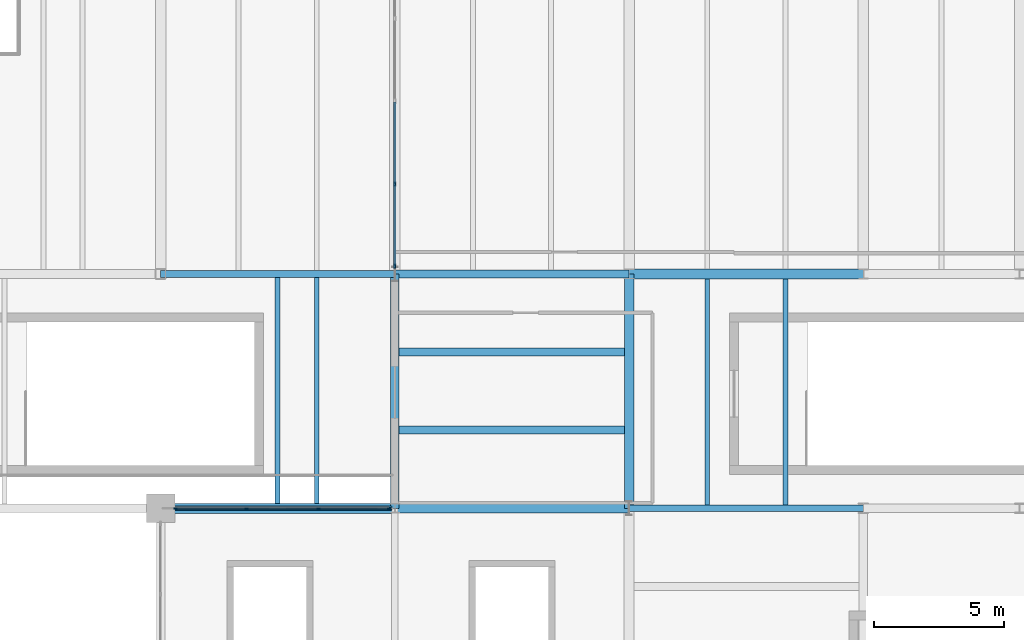
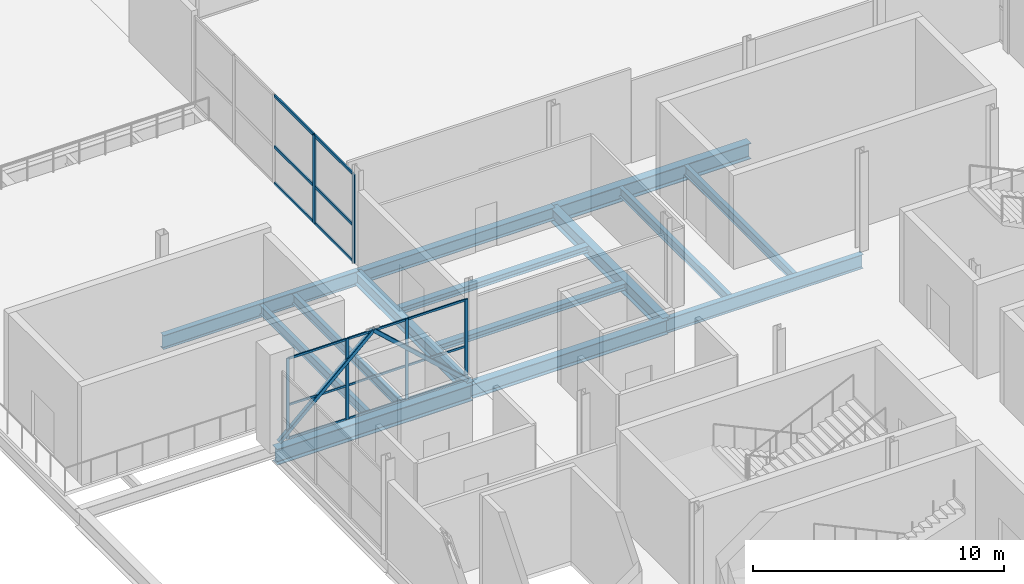
# One storey, part 20 of 50: 23 members, 14 beams, 2 elements without a shape of their own.
"""IFC4 building model written with IfcOpenShell, lengths in metres."""

import ifcopenshell
import ifcopenshell.guid

model = None  # the IFC model being written
_history = None  # IfcOwnerHistory: only IFC2X3 demands one
_inside = {}  # id of a spatial element -> (the spatial element, [elements in it])
_under = {}  # id of a project, library or spatial element -> (it, [spatial elements below it])
_declared = {}  # id of a project -> (the project, [libraries it declares])
_typed = {}  # id of a type object -> (the type object, [elements of that type])
_made_of = {}  # id of a material, layer set ... -> (it, [elements and type objects made of it])


def new_model(schema):
    """Start an empty IFC model of exactly this schema.

    Asked for "IFC4X3", IfcOpenShell would pick the latest addendum, in which some entities
    have other attributes; the version numbers below select the first issue.
    IFC2X3 requires an IfcOwnerHistory on every rooted entity: one is made here for all.
    """
    global model, _history
    if schema == "IFC4X3":
        model = ifcopenshell.file(schema_version=(4, 3, 0, 0))
    else:
        model = ifcopenshell.file(schema=schema)
    _inside.clear()
    _under.clear()
    _declared.clear()
    _typed.clear()
    _made_of.clear()
    _history = None
    if model.schema == "IFC2X3":
        org = make("IfcOrganization", Name="unknown")
        user = make(
            "IfcPersonAndOrganization",
            ThePerson=make("IfcPerson", FamilyName="unknown"),
            TheOrganization=org,
        )
        app = make(
            "IfcApplication",
            ApplicationDeveloper=org,
            Version="unknown",
            ApplicationFullName="unknown",
            ApplicationIdentifier="unknown",
        )
        _history = make(
            "IfcOwnerHistory",
            OwningUser=user,
            OwningApplication=app,
            ChangeAction="ADDED",
            CreationDate=0,
        )
    return model


def make(cls, **values):
    """One entity of the class cls with the attributes given. An attribute that is None is left unset."""
    return model.create_entity(
        cls, **{name: value for name, value in values.items() if value is not None}
    )


def rooted(cls, **values):
    """An entity with a GlobalId (a new one), such as an element, a storey or a relation."""
    return make(cls, GlobalId=ifcopenshell.guid.new(), OwnerHistory=_history, **values)


def si_unit(unit_type, name, prefix=None):
    """IfcSIUnit, for example si_unit("LENGTHUNIT", "METRE", prefix="MILLI")."""
    return make("IfcSIUnit", UnitType=unit_type, Prefix=prefix, Name=name)


def assignment(units):
    """IfcUnitAssignment: the units of a project."""
    return None if units is None else make("IfcUnitAssignment", Units=units)


def point(xyz):
    """IfcCartesianPoint."""
    return None if xyz is None else make("IfcCartesianPoint", Coordinates=xyz)


def direction(xyz):
    """IfcDirection."""
    return None if xyz is None else make("IfcDirection", DirectionRatios=xyz)


def frame(location, z_axis=None, x_axis=None):
    """IfcAxis2Placement3D, a coordinate frame: its origin and axes. An axis left out is left unset."""
    return make(
        "IfcAxis2Placement3D",
        Location=point(location),
        Axis=direction(z_axis),
        RefDirection=direction(x_axis),
    )


def frame_2d(location, x_axis=None):
    """IfcAxis2Placement2D, a coordinate frame in the plane: its origin and x axis."""
    return make(
        "IfcAxis2Placement2D", Location=point(location), RefDirection=direction(x_axis)
    )


def origin():
    """The frame at (0, 0, 0) with its axes left unset."""
    return frame((0.0, 0.0, 0.0))


def origin_2d():
    """The frame at (0, 0) in the plane with its x axis left unset."""
    return frame_2d((0.0, 0.0))


def place(relative_to, where):
    """IfcLocalPlacement: puts the frame where relative to a parent placement (None: the world)."""
    return make(
        "IfcLocalPlacement", PlacementRelTo=relative_to, RelativePlacement=where
    )


def context(
    kind, dimensions, precision=None, world=None, true_north=None, identifier=None
):
    """IfcGeometricRepresentationContext, for example the 3D "Model" context."""
    return make(
        "IfcGeometricRepresentationContext",
        ContextIdentifier=identifier,
        ContextType=kind,
        CoordinateSpaceDimension=dimensions,
        Precision=precision,
        WorldCoordinateSystem=world,
        TrueNorth=true_north,
    )


def subcontext(parent, identifier, kind, view, scale=None):
    """IfcGeometricRepresentationSubContext, for example "Body" below "Model"."""
    return make(
        "IfcGeometricRepresentationSubContext",
        ContextIdentifier=identifier,
        ContextType=kind,
        ParentContext=parent,
        TargetScale=scale,
        TargetView=view,
    )


def project(units=None, contexts=None):
    """IfcProject with its units and contexts."""
    return rooted(
        "IfcProject",
        Name="project",
        RepresentationContexts=contexts,
        UnitsInContext=assignment(units),
    )


def spatial(cls, under=None, at=None, **own):
    """A site, building, storey or space (cls), placed at a placement, below another one or the project."""
    s = rooted(cls, ObjectPlacement=at, **own)
    if under is not None:
        _under.setdefault(under.id(), (under, []))[1].append(s)
    return s


def profile(cls, at=None, kind="AREA", **sizes):
    """A parametric profile (cls). Its sizes go by their IFC names, for example OverallWidth=200.0."""
    return make(cls, ProfileType=kind, Position=at, **sizes)


def rectangle(**sizes):
    """IfcRectangleProfileDef."""
    return profile("IfcRectangleProfileDef", **sizes)


def hollow_rectangle(**sizes):
    """IfcRectangleHollowProfileDef."""
    return profile("IfcRectangleHollowProfileDef", **sizes)


def i_section(**sizes):
    """IfcIShapeProfileDef."""
    return profile("IfcIShapeProfileDef", **sizes)


def extrude(swept, where, along, depth):
    """IfcExtrudedAreaSolid: the profile swept, set in the frame where, extruded along a direction by depth."""
    return make(
        "IfcExtrudedAreaSolid",
        SweptArea=swept,
        Position=where,
        ExtrudedDirection=direction(along),
        Depth=depth,
    )


def shape(context_of_items, identifier, shape_type, items):
    """IfcShapeRepresentation: the items that make up one representation, for example the "Body"."""
    return make(
        "IfcShapeRepresentation",
        ContextOfItems=context_of_items,
        RepresentationIdentifier=identifier,
        RepresentationType=shape_type,
        Items=items,
    )


def material(Name=None, Category=None):
    """IfcMaterial."""
    return make("IfcMaterial", Name=Name, Category=Category)


def layer(
    of_material, thickness, ventilated=None, Name=None, Category=None, Priority=None
):
    """IfcMaterialLayer: one layer of a wall or slab, of a material (None: an air gap)."""
    return make(
        "IfcMaterialLayer",
        Material=of_material,
        LayerThickness=thickness,
        IsVentilated=ventilated,
        Name=Name,
        Category=Category,
        Priority=Priority,
    )


def layer_set(layers, Name=None):
    """IfcMaterialLayerSet."""
    return make("IfcMaterialLayerSet", MaterialLayers=layers, LayerSetName=Name)


def material_profile(
    of_material, cross_section, Name=None, Category=None, Priority=None
):
    """IfcMaterialProfile: a cross section and its material."""
    return make(
        "IfcMaterialProfile",
        Name=Name,
        Material=of_material,
        Profile=cross_section,
        Priority=Priority,
        Category=Category,
    )


def profile_set(profiles, Name=None, composite=None):
    """IfcMaterialProfileSet."""
    return make(
        "IfcMaterialProfileSet",
        Name=Name,
        MaterialProfiles=profiles,
        CompositeProfile=composite,
    )


def made_of(thing, what):
    """Note that an element or type object is made of a material, layer set ...; save() writes the relation."""
    if what is not None:
        _made_of.setdefault(what.id(), (what, []))[1].append(thing)
    return thing


def type_object(cls, material=None, **own):
    """A type object (cls), such as IfcWallType, which elements share."""
    return made_of(rooted(cls, **own), material)


def element(
    cls,
    number,
    at=None,
    inside=None,
    cuts=None,
    type_object=None,
    material=None,
    context=None,
    identifier="Body",
    shape_type=None,
    held_by="IfcProductDefinitionShape",
    body=None,
    shapes=None,
    **own,
):
    """One element of the class cls, such as IfcWall. Its Tag is "e" and its number.

    at: its placement. inside: the storey or other place that contains it. cuts: it is an
    opening in that element (IfcRelVoidsElement). A single representation is given by context,
    identifier, shape_type and body (its items); several are given by shapes. held_by: the class
    of the entity that holds the representations. save() writes the other relations.
    """
    e = rooted(cls, Tag="e%d" % number, ObjectPlacement=at, **own)
    if body is not None:
        shapes = [shape(context, identifier, shape_type, body)]
    if shapes is not None:
        e.Representation = make(held_by, Representations=shapes)
    if inside is not None:
        _inside.setdefault(inside.id(), (inside, []))[1].append(e)
    if cuts is not None:
        rooted(
            "IfcRelVoidsElement", RelatingBuildingElement=cuts, RelatedOpeningElement=e
        )
    if type_object is not None:
        _typed.setdefault(type_object.id(), (type_object, []))[1].append(e)
    return made_of(e, material)


def aggregate(whole, parts):
    """IfcRelAggregates: a whole, such as a stair, and the parts it consists of."""
    return rooted("IfcRelAggregates", RelatingObject=whole, RelatedObjects=parts)


def save(model, path):
    """Write the relations noted so far, then the file.

    IfcRelAggregates (storeys below a building ...), IfcRelContainedInSpatialStructure (elements
    in a storey), IfcRelDefinesByType, IfcRelAssociatesMaterial and IfcRelDeclares: one each for
    every whole, place, type object, material and project.
    """
    for whole, parts in _under.values():
        aggregate(whole, parts)
    for where, things in _inside.values():
        rooted(
            "IfcRelContainedInSpatialStructure",
            RelatedElements=things,
            RelatingStructure=where,
        )
    for kind, things in _typed.values():
        rooted("IfcRelDefinesByType", RelatedObjects=things, RelatingType=kind)
    for what, things in _made_of.values():
        rooted("IfcRelAssociatesMaterial", RelatedObjects=things, RelatingMaterial=what)
    for by, libraries in _declared.values():
        rooted("IfcRelDeclares", RelatingContext=by, RelatedDefinitions=libraries)
    model.write(path)


model = new_model("IFC4")

# Units and contexts
model_context = context("Model", 3, precision=1e-05, world=origin(), true_north=direction((0.0, 1.0)))
body_context = subcontext(model_context, "Body", "Model", "MODEL_VIEW")
ifc_project = project(units=[si_unit("LENGTHUNIT", "METRE"), si_unit("AREAUNIT", "SQUARE_METRE"), si_unit("VOLUMEUNIT", "CUBIC_METRE"), si_unit("PLANEANGLEUNIT", "RADIAN"), si_unit("MASSUNIT", "GRAM", prefix="KILO")], contexts=[model_context])

# Site, building, storey
site_placement = place(None, origin())
site = spatial("IfcSite", under=ifc_project, at=site_placement, CompositionType="ELEMENT")
building_placement = place(site_placement, origin())
building = spatial("IfcBuilding", under=site, at=building_placement, Name="Qamarlyn Nura Convention Centre", CompositionType="ELEMENT")
storey_placement = place(building_placement, frame((0.0, 0.0, 20.39990234375)))
storey = spatial("IfcBuildingStorey", under=building, at=storey_placement, Name="L04", CompositionType="ELEMENT", Elevation=20.39990234375)

# Beams
ifc_material_1 = material(Name="Steel ASTM A992", Category="steel")
ifc_material_profile_1 = material_profile(ifc_material_1, i_section(OverallWidth=0.323974609375, OverallDepth=0.611083984375, WebThickness=0.0126953125, FlangeThickness=0.01904296875, FilletRadius=0.01611328125, at=origin_2d()), Name="W610X155")
ifc_profile_set_1 = profile_set([ifc_material_profile_1], Name="Steel ASTM A992")
beam_type_1 = type_object("IfcBeamType", Name="BM-GIRD-610", PredefinedType="BEAM", material=ifc_profile_set_1)
for number, where, z_axis, x_axis, name in (
    (1, (162.0, 90.0, -0.50537109375), (1.0, 0.0, 0.0), (0.0, 1.0, 0.0), "L04 girder L 14-15"),
    (2, (162.0, 81.0, -0.50537109375), (0.0, 1.0, 0.0), (-1.0, 0.0, 0.0), "L04 girder 14 K-L"),
):
    element("IfcBeam", number, at=place(storey_placement, frame(where, z_axis=z_axis, x_axis=x_axis)), inside=storey, type_object=beam_type_1, Name=name, PredefinedType="BEAM", context=body_context, shape_type="SweptSolid", body=[
        extrude(i_section(OverallWidth=0.323974609375, OverallDepth=0.611083984375, WebThickness=0.0126953125, FlangeThickness=0.01904296875, FilletRadius=0.01611328125, at=origin_2d()), origin(), (0.0, 0.0, 1.0), 9.0),
    ])
ifc_material_profile_2 = material_profile(ifc_material_1, i_section(OverallWidth=0.35498046875, OverallDepth=0.695068359375, WebThickness=0.015380859375, FlangeThickness=0.02490234375, FilletRadius=0.01806640625, at=origin_2d()), Name="W690X217")
ifc_profile_set_2 = profile_set([ifc_material_profile_2], Name="Steel ASTM A992")
beam_type_2 = type_object("IfcBeamType", Name="BM-GIRD-690A", PredefinedType="BEAM", material=ifc_profile_set_2)
for number, where, z_axis, x_axis, name in (
    (3, (162.0, 81.0, -0.54736328125), (1.0, 0.0, 0.0), (0.0, 1.0, 0.0), "L04 girder K 14-15"),
    (4, (171.0, 81.0, -0.54736328125), (0.0, 1.0, 0.0), (-1.0, 0.0, 0.0), "L04 girder 15 K-L"),
):
    element("IfcBeam", number, at=place(storey_placement, frame(where, z_axis=z_axis, x_axis=x_axis)), inside=storey, type_object=beam_type_2, Name=name, PredefinedType="BEAM", context=body_context, shape_type="SweptSolid", body=[
        extrude(i_section(OverallWidth=0.35498046875, OverallDepth=0.695068359375, WebThickness=0.015380859375, FlangeThickness=0.02490234375, FilletRadius=0.01806640625, at=origin_2d()), origin(), (0.0, 0.0, 1.0), 9.0),
    ])
ifc_material_profile_3 = material_profile(ifc_material_1, i_section(OverallWidth=0.25390625, OverallDepth=0.68408203125, WebThickness=0.012451171875, FlangeThickness=0.01904296875, FilletRadius=0.01806640625, at=origin_2d()), Name="W690X140")
ifc_profile_set_3 = profile_set([ifc_material_profile_3], Name="Steel ASTM A992")
beam_type_3 = type_object("IfcBeamType", Name="BM-GIRD-690B", PredefinedType="BEAM", material=ifc_profile_set_3)
for number, where, z_axis, x_axis, name in (
    (5, (171.0, 81.0, -0.5419921875), (1.0, 0.0, 0.0), (0.0, 1.0, 0.0), "L04 girder K 15-16"),
    (6, (153.0, 90.0, -0.5068359375), (1.0, 0.0, 0.0), (0.0, 1.0, 0.0), "L04 girder L 13-14"),
):
    element("IfcBeam", number, at=place(storey_placement, frame(where, z_axis=z_axis, x_axis=x_axis)), inside=storey, type_object=beam_type_3, Name=name, PredefinedType="BEAM", context=body_context, shape_type="SweptSolid", body=[
        extrude(i_section(OverallWidth=0.25390625, OverallDepth=0.68408203125, WebThickness=0.012451171875, FlangeThickness=0.01904296875, FilletRadius=0.01806640625, at=origin_2d()), origin(), (0.0, 0.0, 1.0), 9.0),
    ])
ifc_material_profile_4 = material_profile(ifc_material_1, i_section(OverallWidth=0.381103515625, OverallDepth=0.77294921875, WebThickness=0.0166015625, FlangeThickness=0.027587890625, FilletRadius=0.02001953125, at=origin_2d()), Name="W760X257")
ifc_profile_set_4 = profile_set([ifc_material_profile_4], Name="Steel ASTM A992")
beam_type_4 = type_object("IfcBeamType", Name="BM-GIRD-760", PredefinedType="BEAM", material=ifc_profile_set_4)
for number, where, z_axis, x_axis, name in (
    (7, (153.0, 81.0, -0.58642578125), (1.0, 0.0, 0.0), (0.0, 1.0, 0.0), "L04 girder K 13-14"),
    (8, (171.0, 90.0, -0.58642578125), (1.0, 0.0, 0.0), (0.0, 1.0, 0.0), "L04 girder L 15-16"),
):
    element("IfcBeam", number, at=place(storey_placement, frame(where, z_axis=z_axis, x_axis=x_axis)), inside=storey, type_object=beam_type_4, Name=name, PredefinedType="BEAM", context=body_context, shape_type="SweptSolid", body=[
        extrude(i_section(OverallWidth=0.381103515625, OverallDepth=0.77294921875, WebThickness=0.0166015625, FlangeThickness=0.027587890625, FilletRadius=0.02001953125, at=origin_2d()), origin(), (0.0, 0.0, 1.0), 9.0),
    ])
ifc_material_profile_5 = material_profile(ifc_material_1, i_section(OverallWidth=0.304931640625, OverallDepth=0.30810546875, WebThickness=0.010009765625, FlangeThickness=0.015380859375, FilletRadius=0.014892578125, at=origin_2d()), Name="W310X97")
ifc_profile_set_5 = profile_set([ifc_material_profile_5], Name="Steel ASTM A992")
beam_type_5 = type_object("IfcBeamType", Name="BM-JOIST-310", PredefinedType="JOIST", material=ifc_profile_set_5)
for number, where, z_axis, x_axis, name in (
    (9, (162.162109375, 84.0, -0.35400390625), (1.0, 0.0, 0.0), (0.0, 1.0, 0.0), "L04 composite joist 14-15/K+1"),
    (10, (162.162109375, 87.0, -0.35400390625), (1.0, 0.0, 0.0), (0.0, 1.0, 0.0), "L04 composite joist 14-15/K+2"),
):
    element("IfcBeam", number, at=place(storey_placement, frame(where, z_axis=z_axis, x_axis=x_axis)), inside=storey, type_object=beam_type_5, Name=name, PredefinedType="JOIST", context=body_context, shape_type="SweptSolid", body=[
        extrude(i_section(OverallWidth=0.304931640625, OverallDepth=0.30810546875, WebThickness=0.010009765625, FlangeThickness=0.015380859375, FilletRadius=0.014892578125, at=origin_2d()), origin(), (0.0, 0.0, 1.0), 8.660400390625),
    ])
ifc_material_profile_6 = material_profile(ifc_material_1, i_section(OverallWidth=0.18994140625, OverallDepth=0.45703125, WebThickness=0.009033203125, FlangeThickness=0.014404296875, FilletRadius=0.012939453125, at=origin_2d()), Name="W460X74")
ifc_profile_set_6 = profile_set([ifc_material_profile_6], Name="Steel ASTM A992")
beam_type_6 = type_object("IfcBeamType", Name="BM-JOIST-460", PredefinedType="JOIST", material=ifc_profile_set_6)
for number, where, z_axis, x_axis, name in (
    (11, (159.0, 81.1904296875, -0.428466796875), (0.0, 1.0, 0.0), (-1.0, 0.0, 0.0), "L04 secondary joist 13-14/K-L-16"),
    (12, (157.5, 81.1904296875, -0.428466796875), (0.0, 1.0, 0.0), (-1.0, 0.0, 0.0), "L04 secondary joist 13-14/K-L-17"),
    (13, (174.0, 81.126953125, -0.428466796875), (0.0, 1.0, 0.0), (-1.0, 0.0, 0.0), "L04 secondary joist 15-16/K-L-50"),
    (14, (177.0, 81.126953125, -0.428466796875), (0.0, 1.0, 0.0), (-1.0, 0.0, 0.0), "L04 secondary joist 15-16/K-L-51"),
):
    element("IfcBeam", number, at=place(storey_placement, frame(where, z_axis=z_axis, x_axis=x_axis)), inside=storey, type_object=beam_type_6, Name=name, PredefinedType="JOIST", context=body_context, shape_type="SweptSolid", body=[
        extrude(i_section(OverallWidth=0.18994140625, OverallDepth=0.45703125, WebThickness=0.009033203125, FlangeThickness=0.014404296875, FilletRadius=0.012939453125, at=origin_2d()), origin(), (0.0, 0.0, 1.0), 8.6826171875),
    ])

# Members
ifc_material_2 = material(Name="Steel ASTM A500 Grade C", Category="steel")
ifc_material_profile_7 = material_profile(ifc_material_2, hollow_rectangle(XDim=0.179931640625, YDim=0.179931640625, WallThickness=0.008056640625, InnerFilletRadius=0.008056640625, OuterFilletRadius=0.01611328125, at=origin_2d()), Name="HSS180X180X8")
ifc_profile_set_7 = profile_set([ifc_material_profile_7], Name="Steel ASTM A500 Grade C")
member_type_1 = type_object("IfcMemberType", Name="CBF-BRC-180", PredefinedType="BRACE", material=ifc_profile_set_7)
for number, where, z_axis, x_axis, name in (
    (15, (153.179931640625, 81.0, 0.0), (0.738076289135, 0.0, 0.674717267762), (0.0, 1.0, 0.0), "L04 SCBF chevron brace CBF-N1L"),
    (16, (161.820068359375, 81.0, 0.0), (-0.738076289135, 0.0, 0.674717267762), (0.0, -1.0, 0.0), "L04 SCBF chevron brace CBF-N1R"),
):
    element("IfcMember", number, at=place(storey_placement, frame(where, z_axis=z_axis, x_axis=x_axis)), inside=storey, type_object=member_type_1, Name=name, PredefinedType="BRACE", context=body_context, shape_type="SweptSolid", body=[
        extrude(hollow_rectangle(XDim=0.179931640625, YDim=0.179931640625, WallThickness=0.008056640625, InnerFilletRadius=0.008056640625, OuterFilletRadius=0.01611328125, at=origin_2d()), origin(), (0.0, 0.0, 1.0), 5.85302734375),
    ])

# Curtain wall, members
ifc_material_3 = material(Name="Double-silver low-E insulated glass", Category="glass")
ifc_layer_1 = layer(ifc_material_3, 0.179931640625, Name="CW-UNIT-147")
ifc_layer_set_1 = layer_set([ifc_layer_1], Name="Double-silver low-E insulated glass")
curtain_wall_type_1 = type_object("IfcCurtainWallType", Name="CW-UNIT-147", PredefinedType="NOTDEFINED", material=ifc_layer_set_1)
curtain_wall_1_placement = place(storey_placement, origin())
curtain_wall_1 = element("IfcCurtainWall", 17, at=curtain_wall_1_placement, inside=storey, type_object=curtain_wall_type_1, Name="L04 unitised curtain wall FF3N-81-1", PredefinedType="NOTDEFINED")
ifc_material_4 = material(Name="Champagne-anodised marine aluminium", Category="aluminium")
ifc_material_profile_8 = material_profile(ifc_material_4, rectangle(XDim=0.06005859375, YDim=0.139892578125, at=origin_2d()), Name="ALU MULLION 60x140")
ifc_profile_set_8 = profile_set([ifc_material_profile_8], Name="Champagne-anodised marine aluminium")
member_type_2 = type_object("IfcMemberType", Name="CWM-140", PredefinedType="MULLION", material=ifc_profile_set_8)
member_1_placement = place(storey_placement, frame((153.580078125, 81.0, 0.0), z_axis=(0.0, 0.0, 1.0), x_axis=(0.0, 1.0, 0.0)))
member_1 = element("IfcMember", 18, at=member_1_placement, type_object=member_type_2, Name="CW147 mullion 1", PredefinedType="MULLION", context=body_context, shape_type="SweptSolid", body=[
    extrude(rectangle(XDim=0.06005859375, YDim=0.139892578125, at=origin_2d()), origin(), (0.0, 0.0, 1.0), 3.93408203125),
])
member_2_placement = place(storey_placement, frame((156.30517578125, 81.0, 0.0), z_axis=(0.0, 0.0, 1.0), x_axis=(0.0, 1.0, 0.0)))
member_2 = element("IfcMember", 19, at=member_2_placement, type_object=member_type_2, Name="CW147 mullion 2", PredefinedType="MULLION", context=body_context, shape_type="SweptSolid", body=[
    extrude(rectangle(XDim=0.06005859375, YDim=0.139892578125, at=origin_2d()), origin(), (0.0, 0.0, 1.0), 3.93408203125),
])
member_3_placement = place(storey_placement, frame((159.060302734375, 81.0, 0.0), z_axis=(0.0, 0.0, 1.0), x_axis=(0.0, 1.0, 0.0)))
member_3 = element("IfcMember", 20, at=member_3_placement, type_object=member_type_2, Name="CW147 mullion 3", PredefinedType="MULLION", context=body_context, shape_type="SweptSolid", body=[
    extrude(rectangle(XDim=0.06005859375, YDim=0.139892578125, at=origin_2d()), origin(), (0.0, 0.0, 1.0), 3.93408203125),
])
member_4_placement = place(storey_placement, frame((161.785400390625, 81.0, 0.0), z_axis=(0.0, 0.0, 1.0), x_axis=(0.0, 1.0, 0.0)))
member_4 = element("IfcMember", 21, at=member_4_placement, type_object=member_type_2, Name="CW147 mullion 4", PredefinedType="MULLION", context=body_context, shape_type="SweptSolid", body=[
    extrude(rectangle(XDim=0.06005859375, YDim=0.139892578125, at=origin_2d()), origin(), (0.0, 0.0, 1.0), 3.93408203125),
])

ifc_layer_2 = layer(ifc_material_3, 0.179931640625, Name="CW-UNIT-148")
ifc_layer_set_2 = layer_set([ifc_layer_2], Name="Double-silver low-E insulated glass")
curtain_wall_type_2 = type_object("IfcCurtainWallType", Name="CW-UNIT-148", PredefinedType="NOTDEFINED", material=ifc_layer_set_2)
curtain_wall_2_placement = place(storey_placement, origin())
curtain_wall_2 = element("IfcCurtainWall", 22, at=curtain_wall_2_placement, inside=storey, type_object=curtain_wall_type_2, Name="L04 unitised curtain wall DLW-90-1", PredefinedType="NOTDEFINED")
ifc_material_profile_9 = material_profile(ifc_material_4, rectangle(XDim=0.070068359375, YDim=0.179931640625, at=origin_2d()), Name="ALU MULLION 70x180")
ifc_profile_set_9 = profile_set([ifc_material_profile_9], Name="Champagne-anodised marine aluminium")
member_type_3 = type_object("IfcMemberType", Name="CWM-180", PredefinedType="MULLION", material=ifc_profile_set_9)
member_5_placement = place(storey_placement, frame((162.0, 90.304443359375, 0.0), z_axis=(0.0, 0.0, 1.0), x_axis=(-1.0, 0.0, 0.0)))
member_5 = element("IfcMember", 23, at=member_5_placement, type_object=member_type_3, Name="CW148 mullion 1", PredefinedType="MULLION", context=body_context, shape_type="SweptSolid", body=[
    extrude(rectangle(XDim=0.070068359375, YDim=0.179931640625, at=origin_2d()), origin(), (0.0, 0.0, 1.0), 4.31005859375),
])
member_6_placement = place(storey_placement, frame((162.0, 93.4521484375, 0.0), z_axis=(0.0, 0.0, 1.0), x_axis=(-1.0, 0.0, 0.0)))
member_6 = element("IfcMember", 24, at=member_6_placement, type_object=member_type_3, Name="CW148 mullion 2", PredefinedType="MULLION", context=body_context, shape_type="SweptSolid", body=[
    extrude(rectangle(XDim=0.070068359375, YDim=0.179931640625, at=origin_2d()), origin(), (0.0, 0.0, 1.0), 4.31005859375),
])

# Member
ifc_material_profile_10 = material_profile(ifc_material_4, rectangle(XDim=0.06005859375, YDim=0.10009765625, at=origin_2d()), Name="ALU TRANSOM 60x100")
ifc_profile_set_10 = profile_set([ifc_material_profile_10], Name="Champagne-anodised marine aluminium")
member_type_4 = type_object("IfcMemberType", Name="CWT-100", PredefinedType="USERDEFINED", material=ifc_profile_set_10)
member_7_placement = place(storey_placement, frame((153.610107421875, 81.0, 0.030029296875), z_axis=(1.0, 0.0, 0.0), x_axis=(0.0, 1.0, 0.0)))
member_7 = element("IfcMember", 25, at=member_7_placement, type_object=member_type_4, Name="CW147 transom 1.1", ObjectType="TRANSOM", PredefinedType="USERDEFINED", context=body_context, shape_type="SweptSolid", body=[
    extrude(rectangle(XDim=0.06005859375, YDim=0.10009765625, at=origin_2d()), origin(), (0.0, 0.0, 1.0), 2.6650390625),
])

member_8_placement = place(storey_placement, frame((153.610107421875, 81.0, 1.652099609375), z_axis=(1.0, 0.0, 0.0), x_axis=(0.0, 1.0, 0.0)))
member_8 = element("IfcMember", 26, at=member_8_placement, type_object=member_type_4, Name="CW147 transom 1.2", ObjectType="TRANSOM", PredefinedType="USERDEFINED", context=body_context, shape_type="SweptSolid", body=[
    extrude(rectangle(XDim=0.06005859375, YDim=0.10009765625, at=origin_2d()), origin(), (0.0, 0.0, 1.0), 2.6650390625),
])

member_9_placement = place(storey_placement, frame((153.610107421875, 81.0, 3.904052734375), z_axis=(1.0, 0.0, 0.0), x_axis=(0.0, 1.0, 0.0)))
member_9 = element("IfcMember", 27, at=member_9_placement, type_object=member_type_4, Name="CW147 transom 1.3", ObjectType="TRANSOM", PredefinedType="USERDEFINED", context=body_context, shape_type="SweptSolid", body=[
    extrude(rectangle(XDim=0.06005859375, YDim=0.10009765625, at=origin_2d()), origin(), (0.0, 0.0, 1.0), 2.6650390625),
])

member_10_placement = place(storey_placement, frame((156.335205078125, 81.0, 0.030029296875), z_axis=(1.0, 0.0, 0.0), x_axis=(0.0, 1.0, 0.0)))
member_10 = element("IfcMember", 28, at=member_10_placement, type_object=member_type_4, Name="CW147 transom 2.1", ObjectType="TRANSOM", PredefinedType="USERDEFINED", context=body_context, shape_type="SweptSolid", body=[
    extrude(rectangle(XDim=0.06005859375, YDim=0.10009765625, at=origin_2d()), origin(), (0.0, 0.0, 1.0), 2.695068359375),
])

member_11_placement = place(storey_placement, frame((156.335205078125, 81.0, 1.652099609375), z_axis=(1.0, 0.0, 0.0), x_axis=(0.0, 1.0, 0.0)))
member_11 = element("IfcMember", 29, at=member_11_placement, type_object=member_type_4, Name="CW147 transom 2.2", ObjectType="TRANSOM", PredefinedType="USERDEFINED", context=body_context, shape_type="SweptSolid", body=[
    extrude(rectangle(XDim=0.06005859375, YDim=0.10009765625, at=origin_2d()), origin(), (0.0, 0.0, 1.0), 2.695068359375),
])

member_12_placement = place(storey_placement, frame((156.335205078125, 81.0, 3.904052734375), z_axis=(1.0, 0.0, 0.0), x_axis=(0.0, 1.0, 0.0)))
member_12 = element("IfcMember", 30, at=member_12_placement, type_object=member_type_4, Name="CW147 transom 2.3", ObjectType="TRANSOM", PredefinedType="USERDEFINED", context=body_context, shape_type="SweptSolid", body=[
    extrude(rectangle(XDim=0.06005859375, YDim=0.10009765625, at=origin_2d()), origin(), (0.0, 0.0, 1.0), 2.695068359375),
])

member_13_placement = place(storey_placement, frame((159.09033203125, 81.0, 0.030029296875), z_axis=(1.0, 0.0, 0.0), x_axis=(0.0, 1.0, 0.0)))
member_13 = element("IfcMember", 31, at=member_13_placement, type_object=member_type_4, Name="CW147 transom 3.1", ObjectType="TRANSOM", PredefinedType="USERDEFINED", context=body_context, shape_type="SweptSolid", body=[
    extrude(rectangle(XDim=0.06005859375, YDim=0.10009765625, at=origin_2d()), origin(), (0.0, 0.0, 1.0), 2.665283203125),
])

member_14_placement = place(storey_placement, frame((159.09033203125, 81.0, 1.652099609375), z_axis=(1.0, 0.0, 0.0), x_axis=(0.0, 1.0, 0.0)))
member_14 = element("IfcMember", 32, at=member_14_placement, type_object=member_type_4, Name="CW147 transom 3.2", ObjectType="TRANSOM", PredefinedType="USERDEFINED", context=body_context, shape_type="SweptSolid", body=[
    extrude(rectangle(XDim=0.06005859375, YDim=0.10009765625, at=origin_2d()), origin(), (0.0, 0.0, 1.0), 2.665283203125),
])

member_15_placement = place(storey_placement, frame((159.09033203125, 81.0, 3.904052734375), z_axis=(1.0, 0.0, 0.0), x_axis=(0.0, 1.0, 0.0)))
member_15 = element("IfcMember", 33, at=member_15_placement, type_object=member_type_4, Name="CW147 transom 3.3", ObjectType="TRANSOM", PredefinedType="USERDEFINED", context=body_context, shape_type="SweptSolid", body=[
    extrude(rectangle(XDim=0.06005859375, YDim=0.10009765625, at=origin_2d()), origin(), (0.0, 0.0, 1.0), 2.665283203125),
])

aggregate(curtain_wall_1, [member_1, member_2, member_3, member_4, member_7, member_8, member_9, member_10, member_11, member_12, member_13, member_14, member_15])

ifc_material_profile_11 = material_profile(ifc_material_4, rectangle(XDim=0.070068359375, YDim=0.139892578125, at=origin_2d()), Name="ALU TRANSOM 70x140")
ifc_profile_set_11 = profile_set([ifc_material_profile_11], Name="Champagne-anodised marine aluminium")
member_type_5 = type_object("IfcMemberType", Name="CWT-140", PredefinedType="USERDEFINED", material=ifc_profile_set_11)
member_16_placement = place(storey_placement, frame((162.0, 90.339599609375, 0.03515625), z_axis=(0.0, 1.0, 0.0), x_axis=(-1.0, 0.0, 0.0)))
member_16 = element("IfcMember", 34, at=member_16_placement, type_object=member_type_5, Name="CW148 transom 1.1", ObjectType="TRANSOM", PredefinedType="USERDEFINED", context=body_context, shape_type="SweptSolid", body=[
    extrude(rectangle(XDim=0.070068359375, YDim=0.139892578125, at=origin_2d()), origin(), (0.0, 0.0, 1.0), 3.07763671875),
])

member_17_placement = place(storey_placement, frame((162.0, 90.339599609375, 1.81005859375), z_axis=(0.0, 1.0, 0.0), x_axis=(-1.0, 0.0, 0.0)))
member_17 = element("IfcMember", 35, at=member_17_placement, type_object=member_type_5, Name="CW148 transom 1.2", ObjectType="TRANSOM", PredefinedType="USERDEFINED", context=body_context, shape_type="SweptSolid", body=[
    extrude(rectangle(XDim=0.070068359375, YDim=0.139892578125, at=origin_2d()), origin(), (0.0, 0.0, 1.0), 3.07763671875),
])

member_18_placement = place(storey_placement, frame((162.0, 90.339599609375, 4.275146484375), z_axis=(0.0, 1.0, 0.0), x_axis=(-1.0, 0.0, 0.0)))
member_18 = element("IfcMember", 36, at=member_18_placement, type_object=member_type_5, Name="CW148 transom 1.3", ObjectType="TRANSOM", PredefinedType="USERDEFINED", context=body_context, shape_type="SweptSolid", body=[
    extrude(rectangle(XDim=0.070068359375, YDim=0.139892578125, at=origin_2d()), origin(), (0.0, 0.0, 1.0), 3.07763671875),
])

member_19_placement = place(storey_placement, frame((162.0, 93.487060546875, 0.03515625), z_axis=(0.0, 1.0, 0.0), x_axis=(-1.0, 0.0, 0.0)))
member_19 = element("IfcMember", 37, at=member_19_placement, type_object=member_type_5, Name="CW148 transom 2.1", ObjectType="TRANSOM", PredefinedType="USERDEFINED", context=body_context, shape_type="SweptSolid", body=[
    extrude(rectangle(XDim=0.070068359375, YDim=0.139892578125, at=origin_2d()), origin(), (0.0, 0.0, 1.0), 3.11279296875),
])

member_20_placement = place(storey_placement, frame((162.0, 93.487060546875, 1.81005859375), z_axis=(0.0, 1.0, 0.0), x_axis=(-1.0, 0.0, 0.0)))
member_20 = element("IfcMember", 38, at=member_20_placement, type_object=member_type_5, Name="CW148 transom 2.2", ObjectType="TRANSOM", PredefinedType="USERDEFINED", context=body_context, shape_type="SweptSolid", body=[
    extrude(rectangle(XDim=0.070068359375, YDim=0.139892578125, at=origin_2d()), origin(), (0.0, 0.0, 1.0), 3.11279296875),
])

member_21_placement = place(storey_placement, frame((162.0, 93.487060546875, 4.275146484375), z_axis=(0.0, 1.0, 0.0), x_axis=(-1.0, 0.0, 0.0)))
member_21 = element("IfcMember", 39, at=member_21_placement, type_object=member_type_5, Name="CW148 transom 2.3", ObjectType="TRANSOM", PredefinedType="USERDEFINED", context=body_context, shape_type="SweptSolid", body=[
    extrude(rectangle(XDim=0.070068359375, YDim=0.139892578125, at=origin_2d()), origin(), (0.0, 0.0, 1.0), 3.11279296875),
])

aggregate(curtain_wall_2, [member_5, member_6, member_16, member_17, member_18, member_19, member_20, member_21])

save(model, "model.ifc")
